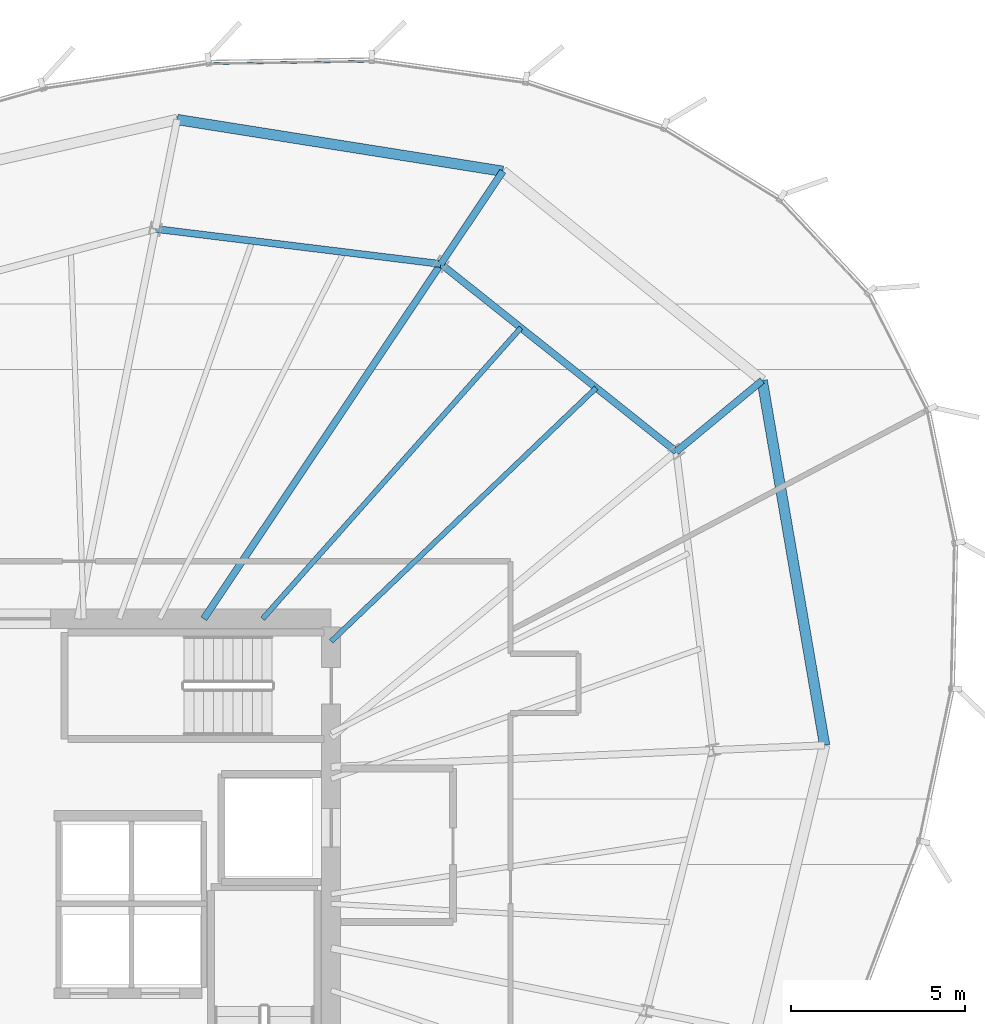
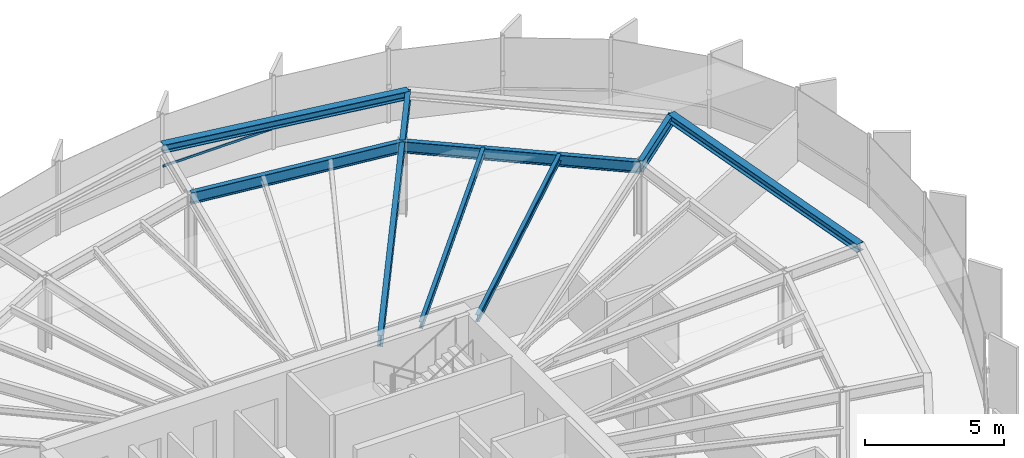
# One storey, part 25 of 36: 9 beams, 1 member, 1 element without a shape of its own.
"""IFC4 building model written with IfcOpenShell, lengths in metres."""

from ifc_helpers import new_model, si_unit, direction, frame, origin, origin_2d, place, context, subcontext, project, spatial, hollow_rectangle, i_section, extrude, source, transform, mapped, material, layer, layer_set, material_profile, profile_set, type_object, element, aggregate, save


model = new_model("IFC4")

# Units and contexts
model_context = context("Model", 3, precision=1e-05, world=origin(), true_north=direction((0.0, 1.0)))
body_context = subcontext(model_context, "Body", "Model", "MODEL_VIEW")
ifc_project = project(units=[si_unit("LENGTHUNIT", "METRE"), si_unit("AREAUNIT", "SQUARE_METRE"), si_unit("VOLUMEUNIT", "CUBIC_METRE"), si_unit("PLANEANGLEUNIT", "RADIAN"), si_unit("MASSUNIT", "GRAM", prefix="KILO"), si_unit("THERMODYNAMICTEMPERATUREUNIT", "KELVIN")], contexts=[model_context])

# Site, building, storey
site_placement = place(None, origin())
site = spatial("IfcSite", under=ifc_project, at=site_placement, CompositionType="ELEMENT")
building_placement = place(site_placement, origin())
building = spatial("IfcBuilding", under=site, at=building_placement, Name="Kethvar Cultural Tower", CompositionType="ELEMENT")
storey_placement = place(building_placement, frame((0.0, 0.0, 176.39990234375)))
storey = spatial("IfcBuildingStorey", under=building, at=storey_placement, Name="L45", CompositionType="ELEMENT", Elevation=176.39990234375)

# Beams
ifc_material_1 = material(Name="Steel S355J2", Category="steel")
ifc_material_profile_1 = material_profile(ifc_material_1, i_section(OverallWidth=0.199951171875, OverallDepth=0.5, WebThickness=0.01025390625, FlangeThickness=0.01611328125, FilletRadius=0.02099609375, at=origin_2d()), Name="Steel S355J2 — IPE500")
ifc_profile_set_1 = profile_set([ifc_material_profile_1], Name="Steel S355J2 — IPE500")
beam_type_1 = type_object("IfcBeamType", Name="BM-IPE500", PredefinedType="BEAM", material=ifc_profile_set_1)
shared_shape_1 = source(origin(), body_context, "Body", "SweptSolid", [
    extrude(i_section(OverallWidth=0.199951171875, OverallDepth=0.5, WebThickness=0.01025390625, FlangeThickness=0.01611328125, FilletRadius=0.02099609375, at=origin_2d()), origin(), (0.0, 0.0, 1.0), 3.2001953125),
])
beam_1_placement = place(storey_placement, frame((58.748046875, 45.681396484375, 3.008056640625), z_axis=(0.555544970406, 0.831486491686, 0.0), x_axis=(-0.831486491686, 0.555544970406, 0.0)))
element("IfcBeam", 1, at=beam_1_placement, inside=storey, type_object=beam_type_1, Name="L45 Perimeter Cantilever Beam RC-03", PredefinedType="BEAM", context=body_context, shape_type="MappedRepresentation", body=[
    mapped(shared_shape_1, transform((0.0, 0.0, 0.0), scale=1.0)),
])
shared_shape_2 = source(origin(), body_context, "Body", "SweptSolid", [
    extrude(i_section(OverallWidth=0.199951171875, OverallDepth=0.5, WebThickness=0.01025390625, FlangeThickness=0.01611328125, FilletRadius=0.02099609375, at=origin_2d()), origin(), (0.0, 0.0, 1.0), 3.199951171875),
])
beam_2_placement = place(storey_placement, frame((65.504150390625, 40.297607421875, 3.008056640625), z_axis=(0.770324538831, 0.637652024913, 0.0), x_axis=(-0.637652024913, 0.770324538831, 0.0)))
element("IfcBeam", 2, at=beam_2_placement, inside=storey, type_object=beam_type_1, Name="L45 Perimeter Cantilever Beam RC-02", PredefinedType="BEAM", context=body_context, shape_type="MappedRepresentation", body=[
    mapped(shared_shape_2, transform((0.0, 0.0, 0.0), scale=1.0)),
])
shared_shape_3 = source(origin(), body_context, "Body", "SweptSolid", [
    extrude(i_section(OverallWidth=0.199951171875, OverallDepth=0.5, WebThickness=0.01025390625, FlangeThickness=0.01611328125, FilletRadius=0.02099609375, at=origin_2d()), origin(), (0.0, 0.0, 1.0), 12.2451171875),
])
beam_3_placement = place(storey_placement, frame((51.945068359375, 35.5, 3.008056640625), z_axis=(0.555569492312, 0.831470107227, 0.0), x_axis=(-0.831470107227, 0.555569492312, 0.0)))
element("IfcBeam", 3, at=beam_3_placement, inside=storey, type_object=beam_type_1, Name="L45 Primary Radial Beam RB-03", PredefinedType="BEAM", context=body_context, shape_type="MappedRepresentation", body=[
    mapped(shared_shape_3, transform((0.0, 0.0, 0.0), scale=1.0)),
])
ifc_material_profile_2 = material_profile(ifc_material_1, i_section(OverallWidth=0.300048828125, OverallDepth=0.360107421875, WebThickness=0.012451171875, FlangeThickness=0.0224609375, FilletRadius=0.027099609375, at=origin_2d()), Name="Steel S355J2 — HEB360")
ifc_profile_set_2 = profile_set([ifc_material_profile_2], Name="Steel S355J2 — HEB360")
beam_type_2 = type_object("IfcBeamType", Name="BM-SP360", PredefinedType="SPANDREL", material=ifc_profile_set_2)
shared_shape_4 = source(origin(), body_context, "Body", "SweptSolid", [
    extrude(i_section(OverallWidth=0.300048828125, OverallDepth=0.360107421875, WebThickness=0.012451171875, FlangeThickness=0.0224609375, FilletRadius=0.027099609375, at=origin_2d()), origin(), (0.0, 0.0, 1.0), 10.618896484375),
])
beam_4_placement = place(storey_placement, frame((69.760986328125, 31.87158203125, 3.078125), z_axis=(-0.168733441284, 0.985661719756, 0.0), x_axis=(-0.985661719756, -0.168733441284, 0.0)))
element("IfcBeam", 4, at=beam_4_placement, inside=storey, type_object=beam_type_2, Name="L45 Perimeter Spandrel Beam SP-01", PredefinedType="SPANDREL", context=body_context, shape_type="MappedRepresentation", body=[
    mapped(shared_shape_4, transform((0.0, 0.0, 0.0), scale=1.0)),
])
shared_shape_5 = source(origin(), body_context, "Body", "SweptSolid", [
    extrude(i_section(OverallWidth=0.199951171875, OverallDepth=0.5, WebThickness=0.01025390625, FlangeThickness=0.01611328125, FilletRadius=0.02099609375, at=origin_2d()), origin(), (0.0, 0.0, 1.0), 8.638916015625),
])
beam_5_placement = place(storey_placement, frame((65.504150390625, 40.297607421875, 3.008056640625), z_axis=(-0.782058475366, 0.623205055425, 0.0), x_axis=(-0.623205055425, -0.782058475366, 0.0)))
element("IfcBeam", 5, at=beam_5_placement, inside=storey, type_object=beam_type_1, Name="L45 Column Ring Tie Beam CR-02", PredefinedType="BEAM", context=body_context, shape_type="MappedRepresentation", body=[
    mapped(shared_shape_5, transform((0.0, 0.0, 0.0), scale=1.0)),
])
ifc_material_profile_3 = material_profile(ifc_material_1, i_section(OverallWidth=0.14990234375, OverallDepth=0.300048828125, WebThickness=0.007080078125, FlangeThickness=0.0107421875, FilletRadius=0.014892578125, at=origin_2d()), Name="Steel S355J2 — IPE300")
ifc_profile_set_3 = profile_set([ifc_material_profile_3], Name="Steel S355J2 — IPE300")
beam_type_3 = type_object("IfcBeamType", Name="BM-J300", PredefinedType="JOIST", material=ifc_profile_set_3)
shared_shape_6 = source(origin(), body_context, "Body", "SweptSolid", [
    extrude(i_section(OverallWidth=0.14990234375, OverallDepth=0.300048828125, WebThickness=0.007080078125, FlangeThickness=0.0107421875, FilletRadius=0.014892578125, at=origin_2d()), origin(), (0.0, 0.0, 1.0), 10.52783203125),
])
beam_6_placement = place(storey_placement, frame((55.60009765625, 34.85009765625, 3.108154296875), z_axis=(0.722552708299, 0.691315835006, 0.0), x_axis=(-0.691315835006, 0.722552708299, 0.0)))
element("IfcBeam", 6, at=beam_6_placement, inside=storey, type_object=beam_type_3, Name="L45 Composite Floor Joist J-02A", PredefinedType="JOIST", context=body_context, shape_type="MappedRepresentation", body=[
    mapped(shared_shape_6, transform((0.0, 0.0, 0.0), scale=1.0)),
])
shared_shape_7 = source(origin(), body_context, "Body", "SweptSolid", [
    extrude(i_section(OverallWidth=0.14990234375, OverallDepth=0.300048828125, WebThickness=0.007080078125, FlangeThickness=0.0107421875, FilletRadius=0.014892578125, at=origin_2d()), origin(), (0.0, 0.0, 1.0), 11.16552734375),
])
beam_7_placement = place(storey_placement, frame((53.6337890625, 35.5, 3.108154296875), z_axis=(0.663773261048, 0.747933859321, 0.0), x_axis=(-0.747933859321, 0.663773261048, 0.0)))
element("IfcBeam", 7, at=beam_7_placement, inside=storey, type_object=beam_type_3, Name="L45 Composite Floor Joist J-02B", PredefinedType="JOIST", context=body_context, shape_type="MappedRepresentation", body=[
    mapped(shared_shape_7, transform((0.0, 0.0, 0.0), scale=1.0)),
])
shared_shape_8 = source(origin(), body_context, "Body", "SweptSolid", [
    extrude(i_section(OverallWidth=0.199951171875, OverallDepth=0.5, WebThickness=0.01025390625, FlangeThickness=0.01611328125, FilletRadius=0.02099609375, at=origin_2d()), origin(), (0.0, 0.0, 1.0), 8.252685546875),
])
beam_8_placement = place(storey_placement, frame((58.748046875, 45.681396484375, 3.008056640625), z_axis=(-0.992540943467, 0.121911753093, 0.0), x_axis=(-0.121911753093, -0.992540943467, 0.0)))
element("IfcBeam", 8, at=beam_8_placement, inside=storey, type_object=beam_type_1, Name="L45 Column Ring Tie Beam CR-03", PredefinedType="BEAM", context=body_context, shape_type="MappedRepresentation", body=[
    mapped(shared_shape_8, transform((0.0, 0.0, 0.0), scale=1.0)),
])
shared_shape_9 = source(origin(), body_context, "Body", "SweptSolid", [
    extrude(i_section(OverallWidth=0.300048828125, OverallDepth=0.360107421875, WebThickness=0.012451171875, FlangeThickness=0.0224609375, FilletRadius=0.027099609375, at=origin_2d()), origin(), (0.0, 0.0, 1.0), 9.461669921875),
])
beam_9_placement = place(storey_placement, frame((60.52587890625, 48.34228515625, 3.078125), z_axis=(-0.987629757191, 0.156803898904, 0.0), x_axis=(-0.156803898904, -0.987629757191, 0.0)))
element("IfcBeam", 9, at=beam_9_placement, inside=storey, type_object=beam_type_2, Name="L45 Perimeter Spandrel Beam SP-03", PredefinedType="SPANDREL", context=body_context, shape_type="MappedRepresentation", body=[
    mapped(shared_shape_9, transform((0.0, 0.0, 0.0), scale=1.0)),
])

# Curtain wall, member
ifc_material_2 = material(Name="Aluminium 6063-T6", Category="aluminium")
ifc_layer = layer(ifc_material_2, 0.179931640625, Name="Aluminium 6063-T6", Category="aluminium")
ifc_layer_set = layer_set([ifc_layer], Name="Aluminium 6063-T6 (180 mm)")
curtain_wall_type = type_object("IfcCurtainWallType", Name="CW-SYS-04-Z34", PredefinedType="NOTDEFINED", material=ifc_layer_set)
curtain_wall_placement = place(storey_placement, origin())
curtain_wall = element("IfcCurtainWall", 10, at=curtain_wall_placement, inside=storey, type_object=curtain_wall_type, Name="L45 Curtain Wall Run 01", PredefinedType="NOTDEFINED")
ifc_material_profile_4 = material_profile(ifc_material_2, hollow_rectangle(XDim=0.050048828125, YDim=0.10009765625, WallThickness=0.00390625, at=origin_2d()), Name="Aluminium 6063-T6 — RHS100x50x4")
ifc_profile_set_4 = profile_set([ifc_material_profile_4], Name="Aluminium 6063-T6 — RHS100x50x4")
member_type = type_object("IfcMemberType", Name="CW-SYS-04-Z34-TRN", PredefinedType="USERDEFINED", material=ifc_profile_set_4)
shared_shape_10 = source(origin(), body_context, "Body", "SweptSolid", [
    extrude(hollow_rectangle(XDim=0.050048828125, YDim=0.10009765625, WallThickness=0.00390625, at=origin_2d()), origin(), (0.0, 0.0, 1.0), 4.598876953125),
])
member_placement = place(storey_placement, frame((56.719482421875, 51.49755859375, 0.9501953125), z_axis=(-0.999889520209, -0.014864298681, 0.0), x_axis=(0.014864298681, -0.999889520209, 0.0)))
member = element("IfcMember", 11, at=member_placement, type_object=member_type, Name="CW-L45-R01 Transom 5", ObjectType="TRANSOM", PredefinedType="USERDEFINED", context=body_context, shape_type="MappedRepresentation", body=[
    mapped(shared_shape_10, transform((0.0, 0.0, 0.0), scale=1.0)),
])
aggregate(curtain_wall, [member])

save(model, "model.ifc")
